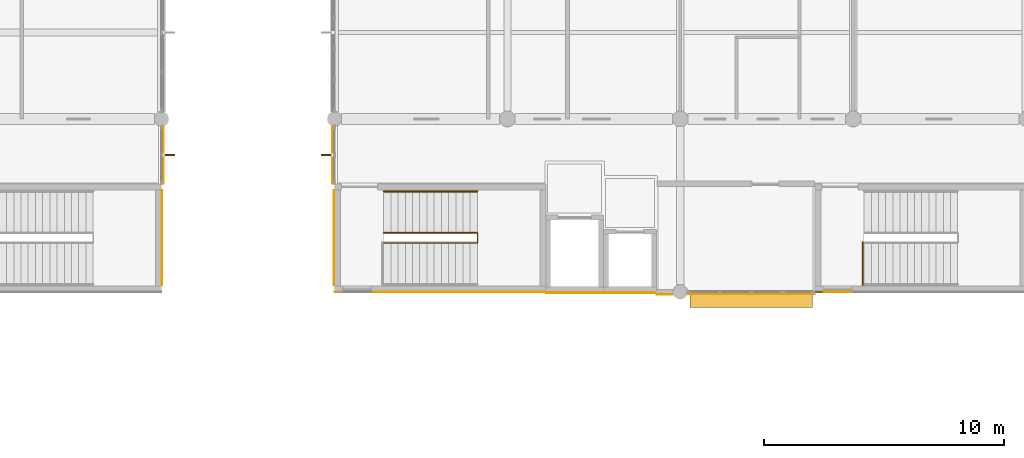
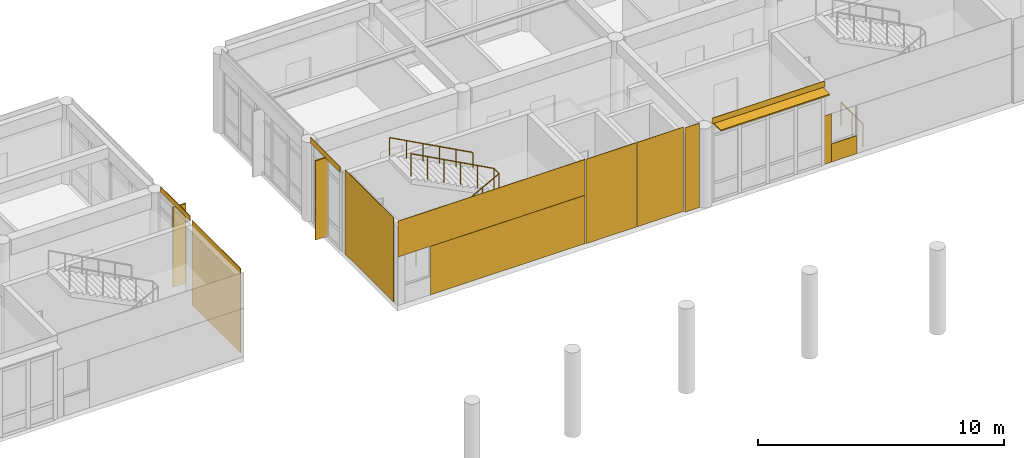
# One storey, part 50 of 55: 12 coverings, 3 railings, 3 shading devices.
"""IFC4 building model written with IfcOpenShell, lengths in metres."""

from ifc_helpers import new_model, si_unit, direction, frame, origin, origin_2d, place, context, subcontext, project, spatial, rectangle, circle, extrude, material, layer, layer_set, type_object, element, save


model = new_model("IFC4")

# Units and contexts
model_context = context("Model", 3, precision=1e-05, world=origin(), true_north=direction((0.0, 1.0)))
body_context = subcontext(model_context, "Body", "Model", "MODEL_VIEW")
ifc_project = project(units=[si_unit("LENGTHUNIT", "METRE"), si_unit("AREAUNIT", "SQUARE_METRE"), si_unit("VOLUMEUNIT", "CUBIC_METRE"), si_unit("PLANEANGLEUNIT", "RADIAN"), si_unit("MASSUNIT", "GRAM", prefix="KILO")], contexts=[model_context])

# Site, building, storey
site_placement = place(None, origin())
site = spatial("IfcSite", under=ifc_project, at=site_placement, CompositionType="ELEMENT")
building_placement = place(site_placement, origin())
building = spatial("IfcBuilding", under=site, at=building_placement, Name="Namkhue Oval Health Centre", CompositionType="ELEMENT")
storey_placement = place(building_placement, frame((0.0, 0.0, 9.60009765625)))
storey = spatial("IfcBuildingStorey", under=building, at=storey_placement, Name="L02", CompositionType="ELEMENT", Elevation=9.60009765625)

# Railings
ifc_material_1 = material(Name="Brushed stainless steel 316L balustrade with laminated glass infill", Category="steel")
railing_type_1 = type_object("IfcRailingType", Name="INTERIOR BALUSTRADE GUARD 1150", PredefinedType="BALUSTRADE", material=ifc_material_1)
railing_1_placement = place(storey_placement, frame((95.64990234375, 92.0400390625, 0.0)))
element("IfcRailing", 1, at=railing_1_placement, inside=storey, type_object=railing_type_1, Name="Stair ST-05 L02 Inner Well Guard", PredefinedType="BALUSTRADE", context=body_context, shape_type="SweptSolid", body=[
    extrude(circle(Radius=0.02392578125, at=origin_2d()), frame((0.0, 0.0, 1.1259765625), z_axis=(0.88049233674, 0.0, 0.474060381114), x_axis=(0.0, 1.0, 0.0)), (0.0, 0.0, 1.0), 4.429443359375),
    extrude(circle(Radius=0.02392578125, at=origin_2d()), frame((3.900146484375, 0.0, 3.2255859375), z_axis=(0.0, 1.0, 0.0), x_axis=(-1.0, 0.0, 0.0)), (0.0, 0.0, 1.0), 0.419921875),
    extrude(circle(Radius=0.02392578125, at=origin_2d()), frame((3.900146484375, 0.419921875, 3.2255859375), z_axis=(-0.880469330154, 0.0, 0.474103109733), x_axis=(0.0, -1.0, 0.0)), (0.0, 0.0, 1.0), 4.4296875),
    extrude(circle(Radius=0.02099609375, at=origin_2d()), origin(), (0.0, 0.0, 1.0), 1.101806640625),
    extrude(circle(Radius=0.02099609375, at=origin_2d()), frame((0.780029296875, 0.0, 0.419921875)), (0.0, 0.0, 1.0), 1.101806640625),
    extrude(circle(Radius=0.02099609375, at=origin_2d()), frame((1.56005859375, 0.0, 0.83984375)), (0.0, 0.0, 1.0), 1.101806640625),
    extrude(circle(Radius=0.02099609375, at=origin_2d()), frame((2.340087890625, 0.0, 1.260009765625)), (0.0, 0.0, 1.0), 1.101806640625),
    extrude(circle(Radius=0.02099609375, at=origin_2d()), frame((3.1201171875, 0.0, 1.679931640625)), (0.0, 0.0, 1.0), 1.101806640625),
    extrude(circle(Radius=0.02099609375, at=origin_2d()), frame((3.900146484375, 0.0, 2.099853515625)), (0.0, 0.0, 1.0), 1.101806640625),
    extrude(circle(Radius=0.02099609375, at=origin_2d()), frame((3.900146484375, 0.419921875, 2.099853515625)), (0.0, 0.0, 1.0), 1.101806640625),
    extrude(circle(Radius=0.02099609375, at=origin_2d()), frame((3.1201171875, 0.419921875, 2.519775390625)), (0.0, 0.0, 1.0), 1.101806640625),
    extrude(circle(Radius=0.02099609375, at=origin_2d()), frame((2.340087890625, 0.419921875, 2.93994140625)), (0.0, 0.0, 1.0), 1.101806640625),
    extrude(circle(Radius=0.02099609375, at=origin_2d()), frame((1.56005859375, 0.419921875, 3.35986328125)), (0.0, 0.0, 1.0), 1.101806640625),
    extrude(circle(Radius=0.02099609375, at=origin_2d()), frame((0.780029296875, 0.419921875, 3.780029296875)), (0.0, 0.0, 1.0), 1.101806640625),
    extrude(circle(Radius=0.02099609375, at=origin_2d()), frame((0.0, 0.419921875, 4.199951171875)), (0.0, 0.0, 1.0), 1.101806640625),
])
railing_2_placement = place(storey_placement, frame((115.60009765625, 90.2900390625, 0.0)))
element("IfcRailing", 2, at=railing_2_placement, inside=storey, type_object=railing_type_1, Name="Stair ST-06 L02 Landing Well Edge Guard", PredefinedType="BALUSTRADE", context=body_context, shape_type="SweptSolid", body=[
    extrude(circle(Radius=0.02392578125, at=origin_2d()), frame((0.0, 0.0, 1.1259765625), z_axis=(0.0, 1.0, 0.0), x_axis=(-1.0, 0.0, 0.0)), (0.0, 0.0, 1.0), 1.77001953125),
    extrude(circle(Radius=0.02099609375, at=origin_2d()), origin(), (0.0, 0.0, 1.0), 1.101806640625),
    extrude(circle(Radius=0.02099609375, at=origin_2d()), frame((0.0, 0.885009765625, 0.0)), (0.0, 0.0, 1.0), 1.101806640625),
    extrude(circle(Radius=0.02099609375, at=origin_2d()), frame((0.0, 1.77001953125, 0.0)), (0.0, 0.0, 1.0), 1.101806640625),
])
ifc_material_2 = material(Name="Brushed stainless steel 304 tubular handrail", Category="steel")
railing_type_2 = type_object("IfcRailingType", Name="INTERIOR STAIR HANDRAIL 900", PredefinedType="HANDRAIL", material=ifc_material_2)
railing_3_placement = place(storey_placement, frame((99.550048828125, 94.179931640625, 2.099853515625)))
element("IfcRailing", 3, at=railing_3_placement, inside=storey, type_object=railing_type_2, Name="Stair ST-05 L02 Flight 2 Handrail", PredefinedType="HANDRAIL", context=body_context, shape_type="SweptSolid", body=[
    extrude(circle(Radius=0.02392578125, at=origin_2d()), frame((0.0, 0.0, 0.8759765625), z_axis=(-0.880469330154, 0.0, 0.474103109733), x_axis=(0.0, -1.0, 0.0)), (0.0, 0.0, 1.0), 4.4296875),
    extrude(circle(Radius=0.02099609375, at=origin_2d()), origin(), (0.0, 0.0, 1.0), 0.851806640625),
    extrude(circle(Radius=0.02099609375, at=origin_2d()), frame((-0.780029296875, 0.0, 0.419921875)), (0.0, 0.0, 1.0), 0.851806640625),
    extrude(circle(Radius=0.02099609375, at=origin_2d()), frame((-1.56005859375, 0.0, 0.840087890625)), (0.0, 0.0, 1.0), 0.851806640625),
    extrude(circle(Radius=0.02099609375, at=origin_2d()), frame((-2.340087890625, 0.0, 1.260009765625)), (0.0, 0.0, 1.0), 0.851806640625),
    extrude(circle(Radius=0.02099609375, at=origin_2d()), frame((-3.1201171875, 0.0, 1.68017578125)), (0.0, 0.0, 1.0), 0.851806640625),
    extrude(circle(Radius=0.02099609375, at=origin_2d()), frame((-3.900146484375, 0.0, 2.10009765625)), (0.0, 0.0, 1.0), 0.851806640625),
])

# Shading devices
ifc_material_3 = material(Name="Anodised aluminium EN AW-6063 T6", Category="aluminium")
ifc_layer_1 = layer(ifc_material_3, 0.050048828125)
ifc_layer_set_1 = layer_set([ifc_layer_1], Name="Anodised aluminium EN AW-6063 T6")
shading_device_type_1 = type_object("IfcShadingDeviceType", Name="STORM SHUTTER LOUVRE 650", PredefinedType="SHUTTER", material=ifc_layer_set_1)
shading_device_1_placement = place(storey_placement, frame((110.946533203125, 89.675048828125, 3.85498046875), z_axis=(0.0, 0.0, 1.0), x_axis=(1.0, 0.0, 0.0)))
element("IfcShadingDevice", 4, at=shading_device_1_placement, inside=storey, type_object=shading_device_type_1, Name="Volume V3 L02 Horizontal Monsoon Sun Louvre 145", PredefinedType="SHUTTER", context=body_context, shape_type="SweptSolid", body=[
    extrude(rectangle(XDim=5.10302734375, YDim=0.64990234375, at=origin_2d()), origin(), (0.0, 0.0, 1.0), 0.06005859375),
])
shading_device_type_2 = type_object("IfcShadingDeviceType", Name="VERTICAL SOLAR FIN 600", PredefinedType="USERDEFINED", material=ifc_material_3)
shading_device_2_placement = place(storey_placement, frame((86.659912109375, 95.70361328125, 0.0), z_axis=(0.0, 0.0, 1.0), x_axis=(1.0, 0.0, 0.0)))
element("IfcShadingDevice", 5, at=shading_device_2_placement, inside=storey, type_object=shading_device_type_2, Name="Volume V2 L02 Extruded Aluminium Solar Fin 80", ObjectType="SOLAR FIN", PredefinedType="USERDEFINED", context=body_context, shape_type="SweptSolid", body=[
    extrude(rectangle(XDim=0.60009765625, YDim=0.06005859375, at=origin_2d()), origin(), (0.0, 0.0, 1.0), 3.949951171875),
])
shading_device_3_placement = place(storey_placement, frame((93.340087890625, 95.70361328125, 0.0), z_axis=(0.0, 0.0, 1.0), x_axis=(-1.0, 0.0, 0.0)))
element("IfcShadingDevice", 6, at=shading_device_3_placement, inside=storey, type_object=shading_device_type_2, Name="Volume V3 L02 Extruded Aluminium Solar Fin 154", ObjectType="SOLAR FIN", PredefinedType="USERDEFINED", context=body_context, shape_type="SweptSolid", body=[
    extrude(rectangle(XDim=0.60009765625, YDim=0.06005859375, at=origin_2d()), origin(), (0.0, 0.0, 1.0), 3.925048828125),
])

# Coverings
ifc_material_4 = material(Name="White glass-fibre reinforced concrete GRC rainscreen cladding", Category="concrete")
ifc_layer_2 = layer(ifc_material_4, 0.02490234375)
ifc_layer_set_2 = layer_set([ifc_layer_2], Name="White glass-fibre reinforced concrete GRC rainscreen cladding")
covering_type = type_object("IfcCoveringType", Name="WHITE GRC RAINSCREEN CLADDING 25", PredefinedType="CLADDING", material=ifc_layer_set_2)
covering_1_placement = place(storey_placement, frame((86.488525390625, 95.70361328125, 3.93505859375), z_axis=(0.0, 0.0, 1.0), x_axis=(0.0, 1.0, 0.0)))
element("IfcCovering", 7, at=covering_1_placement, inside=storey, type_object=covering_type, Name="Volume V2 L02 Curtain Wall Spandrel Cladding 63", PredefinedType="CLADDING", context=body_context, shape_type="SweptSolid", body=[
    extrude(rectangle(XDim=2.39306640625, YDim=0.02490234375, at=origin_2d()), origin(), (0.0, 0.0, 1.0), 0.264892578125),
])
covering_2_placement = place(storey_placement, frame((107.353515625, 89.883056640625, 0.009765625), z_axis=(0.0, 0.0, 1.0), x_axis=(1.0, 0.0, 0.0)))
element("IfcCovering", 8, at=covering_2_placement, inside=storey, type_object=covering_type, Name="Volume V3 L02 Facade 68 White GRC Cladding 1", PredefinedType="CLADDING", context=body_context, shape_type="SweptSolid", body=[
    extrude(rectangle(XDim=0.6630859375, YDim=0.02490234375, at=origin_2d()), origin(), (0.0, 0.0, 1.0), 4.179931640625),
])
covering_3_placement = place(storey_placement, frame((110.946533203125, 89.91162109375, 3.909912109375), z_axis=(0.0, 0.0, 1.0), x_axis=(1.0, 0.0, 0.0)))
element("IfcCovering", 9, at=covering_3_placement, inside=storey, type_object=covering_type, Name="Volume V3 L02 Curtain Wall Spandrel Cladding 111", PredefinedType="CLADDING", context=body_context, shape_type="SweptSolid", body=[
    extrude(rectangle(XDim=5.29296875, YDim=0.02490234375, at=origin_2d()), origin(), (0.0, 0.0, 1.0), 0.2900390625),
])
covering_4_placement = place(storey_placement, frame((93.511474609375, 95.70361328125, 3.909912109375), z_axis=(0.0, 0.0, 1.0), x_axis=(0.0, -1.0, 0.0)))
element("IfcCovering", 10, at=covering_4_placement, inside=storey, type_object=covering_type, Name="Volume V3 L02 Curtain Wall Spandrel Cladding 116", PredefinedType="CLADDING", context=body_context, shape_type="SweptSolid", body=[
    extrude(rectangle(XDim=2.39306640625, YDim=0.02490234375, at=origin_2d()), origin(), (0.0, 0.0, 1.0), 0.2900390625),
])
covering_5_placement = place(storey_placement, frame((86.412109375, 92.25, 0.009765625), z_axis=(0.0, 0.0, 1.0), x_axis=(0.0, 1.0, 0.0)))
element("IfcCovering", 11, at=covering_5_placement, inside=storey, type_object=covering_type, Name="Core SC-04 L02 Core E White GRC Cladding 1", PredefinedType="CLADDING", context=body_context, shape_type="SweptSolid", body=[
    extrude(rectangle(XDim=3.9599609375, YDim=0.02490234375, at=origin_2d()), origin(), (0.0, 0.0, 1.0), 4.179931640625),
])
covering_6_placement = place(storey_placement, frame((98.0, 89.988037109375, 2.4150390625), z_axis=(0.0, 0.0, 1.0), x_axis=(1.0, 0.0, 0.0)))
element("IfcCovering", 12, at=covering_6_placement, inside=storey, type_object=covering_type, Name="Core SC-05 L02 Core S White GRC Cladding 1", PredefinedType="CLADDING", context=body_context, shape_type="SweptSolid", body=[
    extrude(rectangle(XDim=8.760009765625, YDim=0.02490234375, at=origin_2d()), origin(), (0.0, 0.0, 1.0), 1.77490234375),
])
covering_7_placement = place(storey_placement, frame((98.762451171875, 89.988037109375, 0.010009765625), z_axis=(0.0, 0.0, 1.0), x_axis=(1.0, 0.0, 0.0)))
element("IfcCovering", 13, at=covering_7_placement, inside=storey, type_object=covering_type, Name="Core SC-05 L02 Core S White GRC Cladding 4", PredefinedType="CLADDING", context=body_context, shape_type="SweptSolid", body=[
    extrude(rectangle(XDim=7.235107421875, YDim=0.02490234375, at=origin_2d()), origin(), (0.0, 0.0, 1.0), 2.39990234375),
])
covering_8_placement = place(storey_placement, frame((93.587890625, 92.25, 0.009765625), z_axis=(0.0, 0.0, 1.0), x_axis=(0.0, -1.0, 0.0)))
element("IfcCovering", 14, at=covering_8_placement, inside=storey, type_object=covering_type, Name="Core SC-05 L02 Core W White GRC Cladding 1", PredefinedType="CLADDING", context=body_context, shape_type="SweptSolid", body=[
    extrude(rectangle(XDim=3.9599609375, YDim=0.02490234375, at=origin_2d()), origin(), (0.0, 0.0, 1.0), 4.179931640625),
])
covering_9_placement = place(storey_placement, frame((113.777587890625, 89.988037109375, 0.010009765625), z_axis=(0.0, 0.0, 1.0), x_axis=(1.0, 0.0, 0.0)))
element("IfcCovering", 15, at=covering_9_placement, inside=storey, type_object=covering_type, Name="Core SC-06 L02 Core S White GRC Cladding 2", PredefinedType="CLADDING", context=body_context, shape_type="SweptSolid", body=[
    extrude(rectangle(XDim=0.31494140625, YDim=0.02490234375, at=origin_2d()), origin(), (0.0, 0.0, 1.0), 2.39990234375),
])
covering_10_placement = place(storey_placement, frame((114.5400390625, 89.988037109375, 0.010009765625), z_axis=(0.0, 0.0, 1.0), x_axis=(1.0, 0.0, 0.0)))
element("IfcCovering", 16, at=covering_10_placement, inside=storey, type_object=covering_type, Name="Core SC-06 L02 Core S White GRC Cladding 3", PredefinedType="CLADDING", context=body_context, shape_type="SweptSolid", body=[
    extrude(rectangle(XDim=1.199951171875, YDim=0.02490234375, at=origin_2d()), origin(), (0.0, 0.0, 1.0), 0.89501953125),
])
covering_11_placement = place(storey_placement, frame((103.60009765625, 89.962890625, 0.009765625), z_axis=(0.0, 0.0, 1.0), x_axis=(1.0, 0.0, 0.0)))
element("IfcCovering", 17, at=covering_11_placement, inside=storey, type_object=covering_type, Name="Lift LF-03 L02 S White GRC Cladding 1", PredefinedType="CLADDING", context=body_context, shape_type="SweptSolid", body=[
    extrude(rectangle(XDim=2.360107421875, YDim=0.02490234375, at=origin_2d()), origin(), (0.0, 0.0, 1.0), 4.179931640625),
])
covering_12_placement = place(storey_placement, frame((105.89990234375, 89.962890625, 0.009765625), z_axis=(0.0, 0.0, 1.0), x_axis=(1.0, 0.0, 0.0)))
element("IfcCovering", 18, at=covering_12_placement, inside=storey, type_object=covering_type, Name="Lift LF-04 L02 S White GRC Cladding 1", PredefinedType="CLADDING", context=body_context, shape_type="SweptSolid", body=[
    extrude(rectangle(XDim=2.159912109375, YDim=0.02490234375, at=origin_2d()), origin(), (0.0, 0.0, 1.0), 4.179931640625),
])

save(model, "model.ifc")
